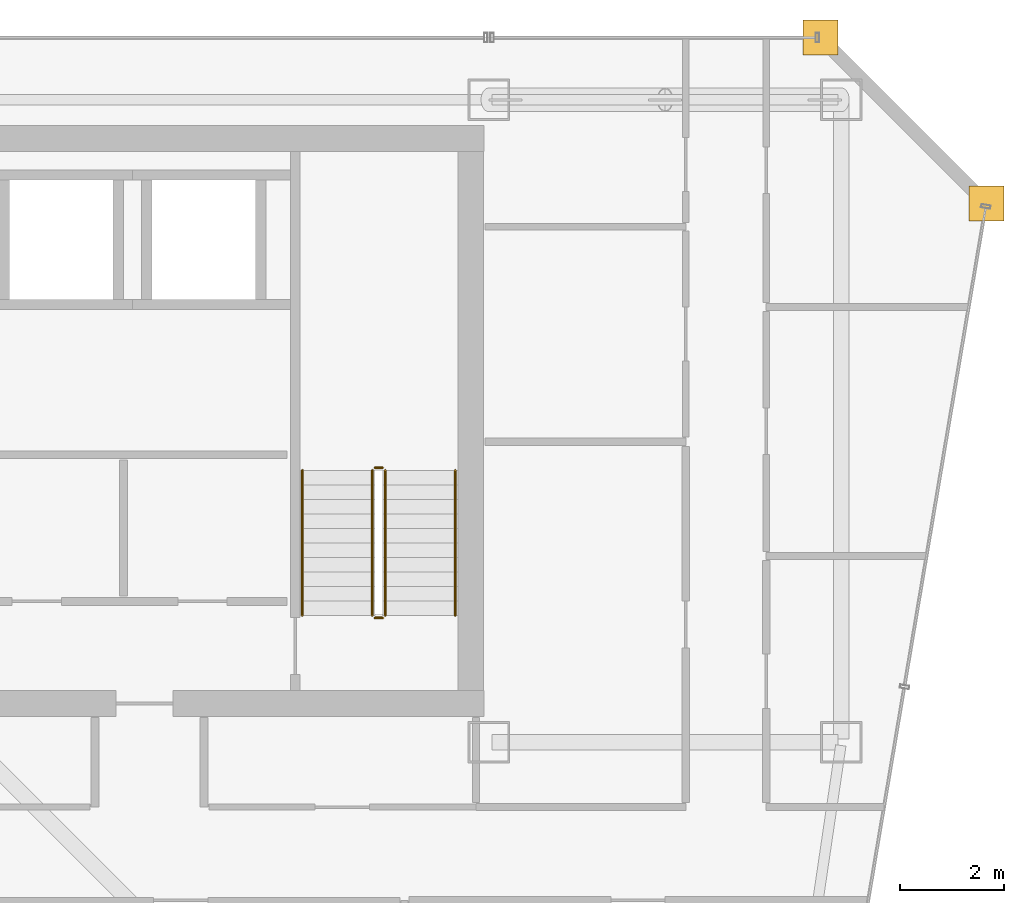
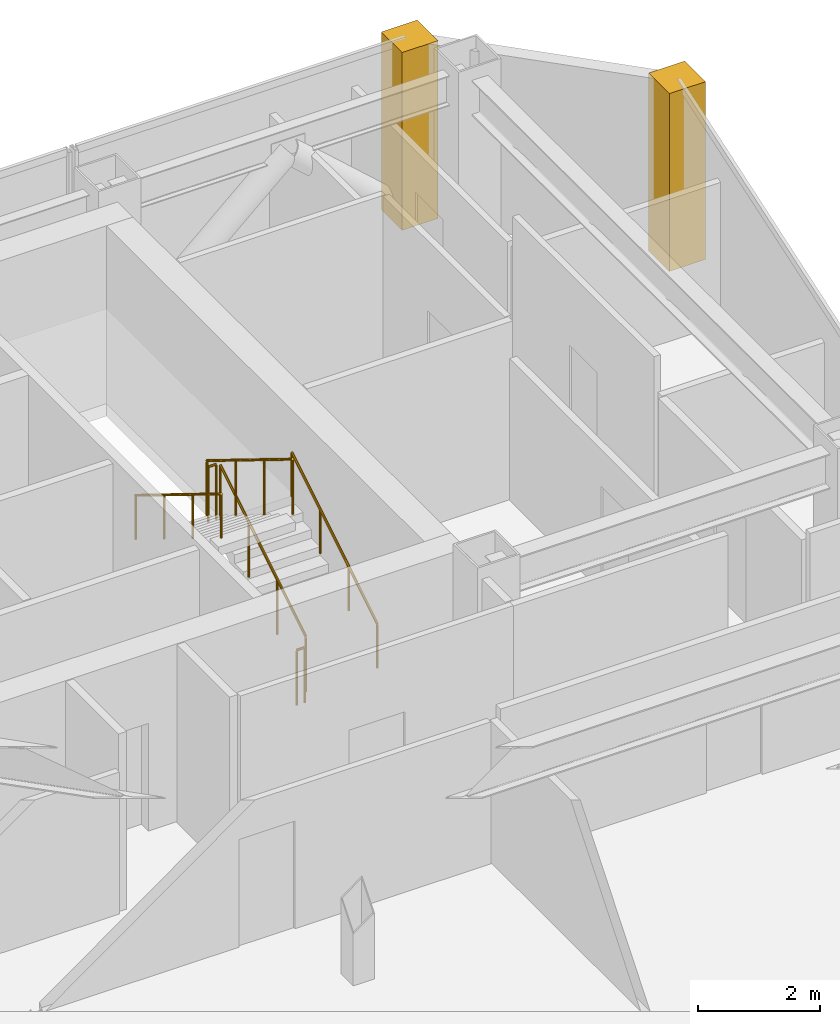
# One storey, part 35 of 35: 6 railings, 2 coverings.
"""IFC4 building model written with IfcOpenShell, lengths in metres."""

from ifc_helpers import new_model, si_unit, direction, frame, origin, origin_2d, place, context, subcontext, project, spatial, polyline, circle, outline, extrude, material, layer, layer_set, type_object, element, save


model = new_model("IFC4")

# Units and contexts
model_context = context("Model", 3, precision=1e-05, world=origin(), true_north=direction((0.0, 1.0)))
body_context = subcontext(model_context, "Body", "Model", "MODEL_VIEW")
ifc_project = project(units=[si_unit("LENGTHUNIT", "METRE"), si_unit("AREAUNIT", "SQUARE_METRE"), si_unit("VOLUMEUNIT", "CUBIC_METRE"), si_unit("PLANEANGLEUNIT", "RADIAN"), si_unit("MASSUNIT", "GRAM", prefix="KILO")], contexts=[model_context])

# Site, building, storey
site_placement = place(None, origin())
site = spatial("IfcSite", under=ifc_project, at=site_placement, CompositionType="ELEMENT")
building_placement = place(site_placement, origin())
building = spatial("IfcBuilding", under=site, at=building_placement, Name="Saevonmaru Cultural Tower", CompositionType="ELEMENT")
storey_placement = place(building_placement, frame((0.0, 0.0, 194.199951171875)))
storey = spatial("IfcBuildingStorey", under=building, at=storey_placement, Name="L44", CompositionType="ELEMENT", Elevation=194.199951171875)

# Coverings
ifc_material_1 = material(Name="Satin Bronze Anodised Aluminium", Category="aluminium")
ifc_layer = layer(ifc_material_1, 0.679931640625, Name="Satin Bronze Anodised Aluminium")
ifc_layer_set = layer_set([ifc_layer], Name="Satin Bronze Anodised Aluminium")
covering_type = type_object("IfcCoveringType", Name="CV-CORNER-CLAD", PredefinedType="CLADDING", material=ifc_layer_set)
covering_1_placement = place(storey_placement, origin())
element("IfcCovering", 1, at=covering_1_placement, inside=storey, type_object=covering_type, Name="L44 Tower Bronze Corner Cladding Pier 9", PredefinedType="CLADDING", context=body_context, shape_type="SweptSolid", body=[
    extrude(outline(polyline([(55.659912109375, 52.4599609375), (56.340087890625, 52.4599609375), (56.340087890625, 53.139892578125), (55.659912109375, 53.139892578125), (55.659912109375, 52.4599609375)])), origin(), (0.0, 0.0, 1.0), 3.550048828125),
])
covering_2_placement = place(storey_placement, origin())
element("IfcCovering", 2, at=covering_2_placement, inside=storey, type_object=covering_type, Name="L44 Tower Bronze Corner Cladding Pier 10", PredefinedType="CLADDING", context=body_context, shape_type="SweptSolid", body=[
    extrude(outline(polyline([(52.4599609375, 55.659912109375), (53.139892578125, 55.659912109375), (53.139892578125, 56.340087890625), (52.4599609375, 56.340087890625), (52.4599609375, 55.659912109375)])), origin(), (0.0, 0.0, 1.0), 3.550048828125),
])

# Railings
ifc_material_2 = material(Name="Architectural Painted Steel", Category="steel")
railing_type_1 = type_object("IfcRailingType", Name="RL-STAIR-GUARD", PredefinedType="GUARDRAIL", material=ifc_material_2)
railing_1_placement = place(storey_placement, frame((44.39990234375, 44.85009765625, 0.1728515625)))
element("IfcRailing", 3, at=railing_1_placement, inside=storey, type_object=railing_type_1, Name="L44 ST-2 stair guard 1", PredefinedType="GUARDRAIL", context=body_context, shape_type="SweptSolid", body=[
    extrude(circle(Radius=0.02392578125, at=origin_2d()), frame((0.0, 0.0, 1.09619140625), z_axis=(0.0, 0.851069175582, 0.525053576669), x_axis=(-1.0, 0.0, 0.0)), (0.0, 0.0, 1.0), 3.289794921875),
    extrude(circle(Radius=0.02099609375, at=origin_2d()), origin(), (0.0, 0.0, 1.0), 1.072021484375),
    extrude(circle(Radius=0.02099609375, at=origin_2d()), frame((0.0, 0.933349609375, 0.57568359375)), (0.0, 0.0, 1.0), 1.072021484375),
    extrude(circle(Radius=0.02099609375, at=origin_2d()), frame((0.0, 1.866455078125, 1.151611328125)), (0.0, 0.0, 1.0), 1.072021484375),
    extrude(circle(Radius=0.02099609375, at=origin_2d()), frame((0.0, 2.7998046875, 1.727294921875)), (0.0, 0.0, 1.0), 1.072021484375),
])
railing_2_placement = place(storey_placement, frame((44.35009765625, 47.699951171875, 1.900146484375)))
element("IfcRailing", 4, at=railing_2_placement, inside=storey, type_object=railing_type_1, Name="L44 ST-2 stair guard 2", PredefinedType="GUARDRAIL", context=body_context, shape_type="SweptSolid", body=[
    extrude(circle(Radius=0.02392578125, at=origin_2d()), frame((0.0, 0.0, 1.09619140625), z_axis=(-1.0, 0.0, 0.0), x_axis=(0.0, -1.0, 0.0)), (0.0, 0.0, 1.0), 0.150146484375),
    extrude(circle(Radius=0.02099609375, at=origin_2d()), origin(), (0.0, 0.0, 1.0), 1.072021484375),
    extrude(circle(Radius=0.02099609375, at=origin_2d()), frame((-0.150146484375, 0.0, 0.0)), (0.0, 0.0, 1.0), 1.072021484375),
])
railing_3_placement = place(storey_placement, frame((44.14990234375, 47.64990234375, 2.07275390625)))
element("IfcRailing", 5, at=railing_3_placement, inside=storey, type_object=railing_type_1, Name="L44 ST-2 stair guard 3", PredefinedType="GUARDRAIL", context=body_context, shape_type="SweptSolid", body=[
    extrude(circle(Radius=0.02392578125, at=origin_2d()), frame((0.0, 0.0, 1.09619140625), z_axis=(0.0, -0.851069175582, 0.525053576669), x_axis=(1.0, 0.0, 0.0)), (0.0, 0.0, 1.0), 3.289794921875),
    extrude(circle(Radius=0.02099609375, at=origin_2d()), origin(), (0.0, 0.0, 1.0), 1.072021484375),
    extrude(circle(Radius=0.02099609375, at=origin_2d()), frame((0.0, -0.933349609375, 0.57568359375)), (0.0, 0.0, 1.0), 1.072021484375),
    extrude(circle(Radius=0.02099609375, at=origin_2d()), frame((0.0, -1.866455078125, 1.151611328125)), (0.0, 0.0, 1.0), 1.072021484375),
    extrude(circle(Radius=0.02099609375, at=origin_2d()), frame((0.0, -2.7998046875, 1.727294921875)), (0.0, 0.0, 1.0), 1.072021484375),
])
railing_4_placement = place(storey_placement, frame((44.35009765625, 44.800048828125, 0.0)))
element("IfcRailing", 6, at=railing_4_placement, inside=storey, type_object=railing_type_1, Name="L44 ST-2 stair guard 4", PredefinedType="GUARDRAIL", context=body_context, shape_type="SweptSolid", body=[
    extrude(circle(Radius=0.02392578125, at=origin_2d()), frame((0.0, 0.0, 1.09619140625), z_axis=(-1.0, 0.0, 0.0), x_axis=(0.0, -1.0, 0.0)), (0.0, 0.0, 1.0), 0.150146484375),
    extrude(circle(Radius=0.02099609375, at=origin_2d()), origin(), (0.0, 0.0, 1.0), 1.072021484375),
    extrude(circle(Radius=0.02099609375, at=origin_2d()), frame((-0.150146484375, 0.0, 0.0)), (0.0, 0.0, 1.0), 1.072021484375),
])
railing_type_2 = type_object("IfcRailingType", Name="RL-STAIR-HANDRAIL", PredefinedType="HANDRAIL", material=ifc_material_1)
railing_5_placement = place(storey_placement, frame((45.75, 44.85009765625, 0.1728515625)))
element("IfcRailing", 7, at=railing_5_placement, inside=storey, type_object=railing_type_2, Name="L44 ST-2 stair handrail 1", PredefinedType="HANDRAIL", context=body_context, shape_type="SweptSolid", body=[
    extrude(circle(Radius=0.02392578125, at=origin_2d()), frame((0.0, 0.0, 0.8759765625), z_axis=(0.0, 0.851069175582, 0.525053576669), x_axis=(-1.0, 0.0, 0.0)), (0.0, 0.0, 1.0), 3.289794921875),
    extrude(circle(Radius=0.02099609375, at=origin_2d()), origin(), (0.0, 0.0, 1.0), 0.851806640625),
    extrude(circle(Radius=0.02099609375, at=origin_2d()), frame((0.0, 0.933349609375, 0.57568359375)), (0.0, 0.0, 1.0), 0.851806640625),
    extrude(circle(Radius=0.02099609375, at=origin_2d()), frame((0.0, 1.866455078125, 1.151611328125)), (0.0, 0.0, 1.0), 0.851806640625),
    extrude(circle(Radius=0.02099609375, at=origin_2d()), frame((0.0, 2.7998046875, 1.727294921875)), (0.0, 0.0, 1.0), 0.851806640625),
])
railing_6_placement = place(storey_placement, frame((42.800048828125, 47.64990234375, 2.07275390625)))
element("IfcRailing", 8, at=railing_6_placement, inside=storey, type_object=railing_type_2, Name="L44 ST-2 stair handrail 2", PredefinedType="HANDRAIL", context=body_context, shape_type="SweptSolid", body=[
    extrude(circle(Radius=0.02392578125, at=origin_2d()), frame((0.0, 0.0, 0.8759765625), z_axis=(0.0, -0.851069175582, 0.525053576669), x_axis=(1.0, 0.0, 0.0)), (0.0, 0.0, 1.0), 3.289794921875),
    extrude(circle(Radius=0.02099609375, at=origin_2d()), origin(), (0.0, 0.0, 1.0), 0.851806640625),
    extrude(circle(Radius=0.02099609375, at=origin_2d()), frame((0.0, -0.933349609375, 0.57568359375)), (0.0, 0.0, 1.0), 0.851806640625),
    extrude(circle(Radius=0.02099609375, at=origin_2d()), frame((0.0, -1.866455078125, 1.151611328125)), (0.0, 0.0, 1.0), 0.851806640625),
    extrude(circle(Radius=0.02099609375, at=origin_2d()), frame((0.0, -2.7998046875, 1.727294921875)), (0.0, 0.0, 1.0), 0.851806640625),
])

save(model, "model.ifc")
